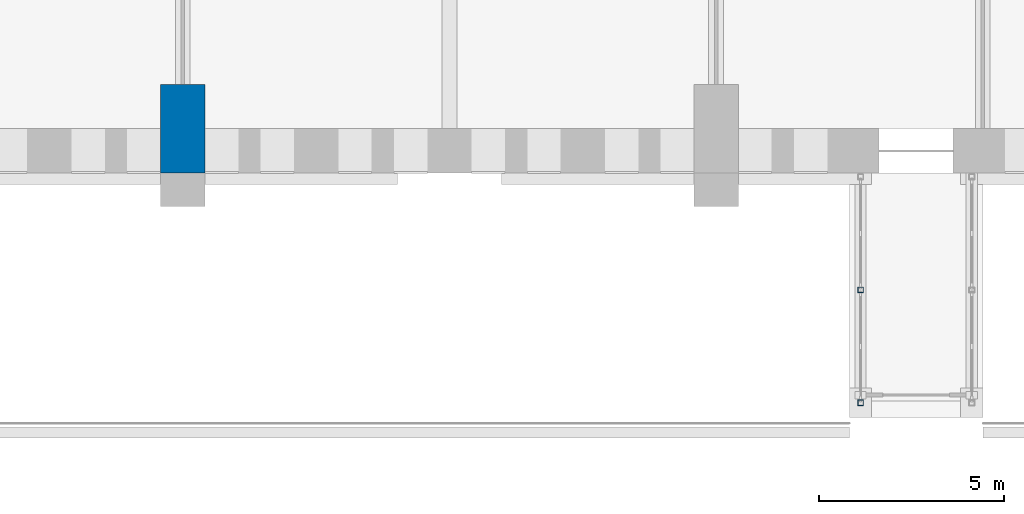
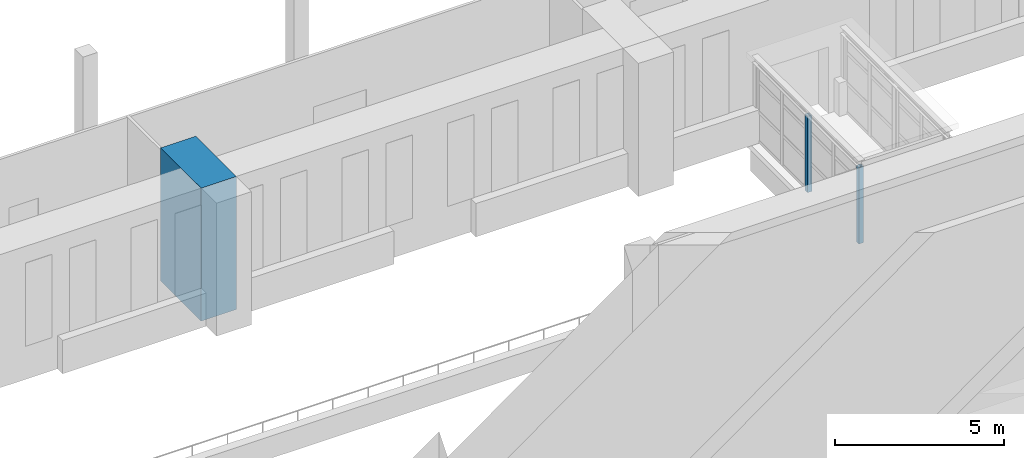
# One storey, part 8 of 131: 3 columns.
"""IFC4 building model written with IfcOpenShell, lengths in metres."""

from ifc_helpers import new_model, si_unit, direction, frame, origin, origin_2d, place, context, subcontext, project, spatial, rectangle, hollow_rectangle, extrude, material, material_profile, profile_set, type_object, element, save


model = new_model("IFC4")

# Units and contexts
model_context = context("Model", 3, precision=1e-05, world=origin(), true_north=direction((0.0, 1.0)))
body_context = subcontext(model_context, "Body", "Model", "MODEL_VIEW")
ifc_project = project(units=[si_unit("LENGTHUNIT", "METRE"), si_unit("AREAUNIT", "SQUARE_METRE"), si_unit("VOLUMEUNIT", "CUBIC_METRE"), si_unit("PLANEANGLEUNIT", "RADIAN"), si_unit("MASSUNIT", "GRAM", prefix="KILO")], contexts=[model_context])

# Site, building, storey
site_placement = place(None, origin())
site = spatial("IfcSite", under=ifc_project, at=site_placement, CompositionType="ELEMENT")
building_placement = place(site_placement, origin())
building = spatial("IfcBuilding", under=site, at=building_placement, Name="Alderwick Market Hall", CompositionType="ELEMENT")
storey_placement = place(building_placement, frame((0.0, 0.0, 4.800048828125)))
storey = spatial("IfcBuildingStorey", under=building, at=storey_placement, Name="L00", CompositionType="ELEMENT", Elevation=4.800048828125)

# Columns
ifc_material_1 = material(Name="Steel ASTM A500 Grade C", Category="steel")
ifc_material_profile_1 = material_profile(ifc_material_1, hollow_rectangle(XDim=0.152099609375, YDim=0.152099609375, WallThickness=0.009521484375, at=origin_2d()), Name="HSS152x152x9.5")
ifc_profile_set_1 = profile_set([ifc_material_profile_1], Name="Steel ASTM A500 Grade C")
column_type_1 = type_object("IfcColumnType", Name="P HSS Column 152x152x9.5", PredefinedType="COLUMN", material=ifc_profile_set_1)
for number, where, z_axis, x_axis, name in (
    (1, (126.300048828125, 43.60009765625, 0.0), (0.0, 0.0, 1.0), (1.0, 0.0, 0.0), "P.P4.col.a0"),
    (2, (126.300048828125, 46.64990234375, 0.0), (0.0, 0.0, 1.0), (1.0, 0.0, 0.0), "P.P4.col.a1"),
):
    element("IfcColumn", number, at=place(storey_placement, frame(where, z_axis=z_axis, x_axis=x_axis)), inside=storey, type_object=column_type_1, Name=name, PredefinedType="COLUMN", context=body_context, shape_type="SweptSolid", body=[
        extrude(hollow_rectangle(XDim=0.152099609375, YDim=0.152099609375, WallThickness=0.009521484375, at=origin_2d()), origin(), (0.0, 0.0, 1.0), 2.7529296875),
    ])
ifc_material_2 = material(Name="Concrete 5000 psi (f'c 35 MPa)", Category="concrete")
ifc_material_profile_2 = material_profile(ifc_material_2, rectangle(XDim=1.199951171875, YDim=2.39990234375, at=origin_2d()), Name="RC 1200x2400")
ifc_profile_set_2 = profile_set([ifc_material_profile_2], Name="Concrete 5000 psi (f'c 35 MPa)")
column_type_2 = type_object("IfcColumnType", Name="R Buttress Pier 1200x2400", PredefinedType="COLUMN", material=ifc_profile_set_2)
column_placement = place(storey_placement, frame((108.0, 51.0, 0.0), z_axis=(0.0, 0.0, 1.0), x_axis=(1.0, 0.0, 0.0)))
element("IfcColumn", 3, at=column_placement, inside=storey, type_object=column_type_2, Name="Buttress pier S5 L00", PredefinedType="COLUMN", context=body_context, shape_type="SweptSolid", body=[
    extrude(rectangle(XDim=1.199951171875, YDim=2.39990234375, at=origin_2d()), origin(), (0.0, 0.0, 1.0), 4.800048828125),
])

save(model, "model.ifc")
